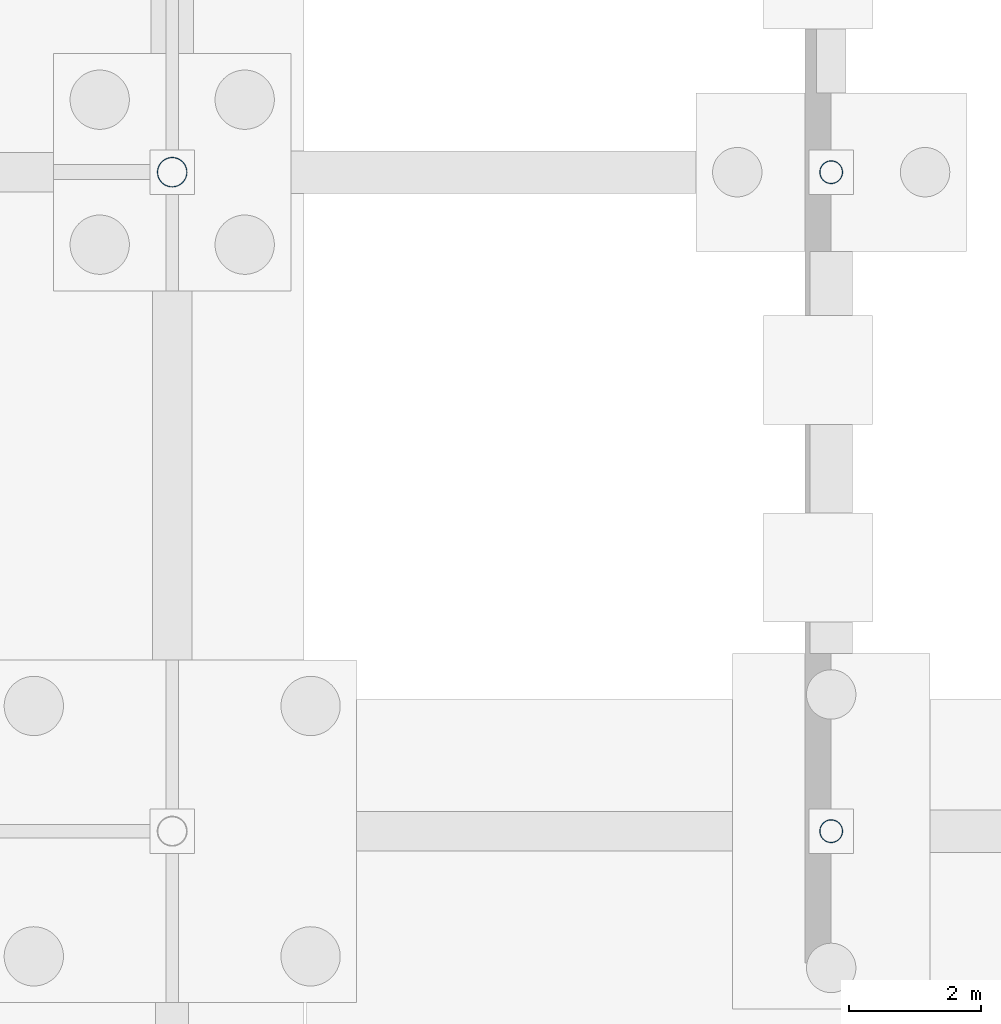
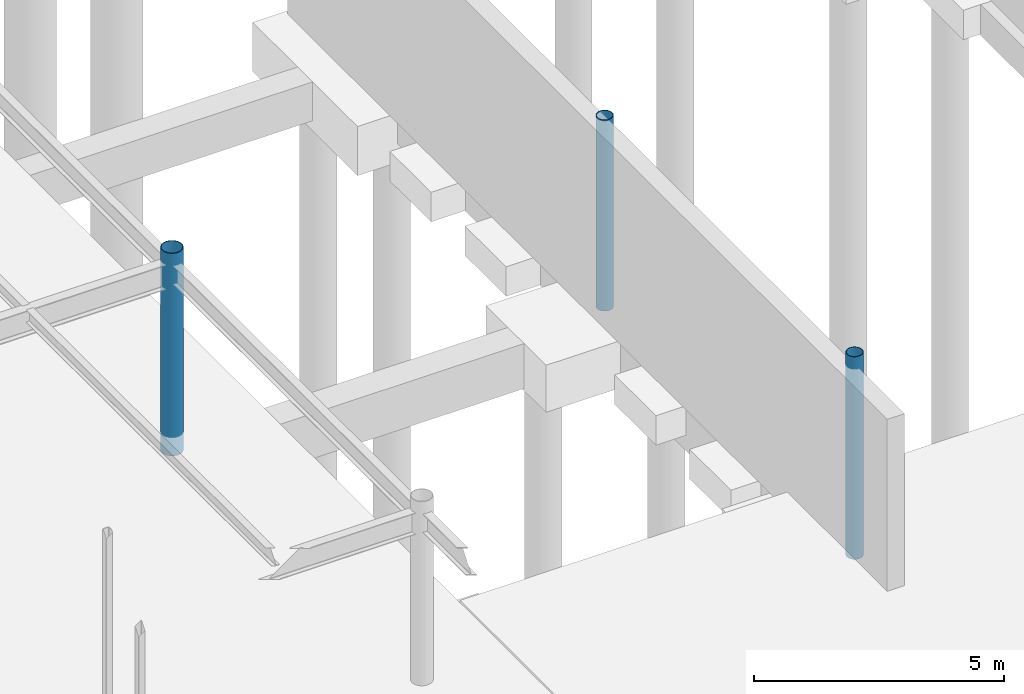
# One storey, part 43 of 75: 3 columns.
"""IFC4 building model written with IfcOpenShell, lengths in metres."""

from ifc_helpers import new_model, si_unit, derived_unit, direction, frame, origin, origin_2d_with_axis, place, context, subcontext, project, spatial, hollow_circle, extrude, material, material_profile, profile_set, type_object, element, save


model = new_model("IFC4")

# Units and contexts
model_context = context("Model", 3, precision=1e-05, world=origin(), true_north=direction((0.0, 1.0)))
body_context = subcontext(model_context, "Body", "Model", "MODEL_VIEW")
ifc_project = project(units=[si_unit("LENGTHUNIT", "METRE"), si_unit("AREAUNIT", "SQUARE_METRE"), si_unit("VOLUMEUNIT", "CUBIC_METRE"), si_unit("PLANEANGLEUNIT", "RADIAN"), si_unit("MASSUNIT", "GRAM", prefix="KILO"), derived_unit("THERMALTRANSMITTANCEUNIT", [(si_unit("POWERUNIT", "WATT"), 1), (si_unit("LENGTHUNIT", "METRE"), -2), (si_unit("THERMODYNAMICTEMPERATUREUNIT", "KELVIN"), -1)])], contexts=[model_context])

# Site, building, storey
site_placement = place(None, origin())
site = spatial("IfcSite", under=ifc_project, at=site_placement, CompositionType="ELEMENT")
building_placement = place(site_placement, origin())
building = spatial("IfcBuilding", under=site, at=building_placement, Name="Cinnabar Yard Market Hall", CompositionType="ELEMENT")
storey_placement = place(building_placement, frame((0.0, 0.0, -4.5)))
storey = spatial("IfcBuildingStorey", under=building, at=storey_placement, Name="B1", CompositionType="ELEMENT", Elevation=-4.5)

# Columns
ifc_material = material(Name="Spotted-gum glulam-clad steel Grade 350 (350 MPa)", Category="steel")
ifc_material_profile_1 = material_profile(ifc_material, hollow_circle(Radius=0.228515625, WallThickness=0.0126953125, at=origin_2d_with_axis()), Name="457.0x12.7CHS")
ifc_profile_set_1 = profile_set([ifc_material_profile_1], Name="Spotted-gum glulam-clad steel Grade 350 (350 MPa)")
column_type_1 = type_object("IfcColumnType", Name="COL-C01", PredefinedType="COLUMN", material=ifc_profile_set_1)
column_1_placement = place(storey_placement, frame((156.0, 44.0, -0.449951171875), z_axis=(0.0, 0.0, 1.0), x_axis=(1.0, 0.0, 0.0)))
element("IfcColumn", 1, at=column_1_placement, inside=storey, type_object=column_type_1, Name="Tree Column V1I-09-03 B1", PredefinedType="COLUMN", context=body_context, shape_type="SweptSolid", body=[
    extrude(hollow_circle(Radius=0.228515625, WallThickness=0.0126953125, at=origin_2d_with_axis()), origin(), (0.0, 0.0, 1.0), 4.949951171875),
])
ifc_material_profile_2 = material_profile(ifc_material, hollow_circle(Radius=0.177734375, WallThickness=0.0126953125, at=origin_2d_with_axis()), Name="355.6x12.7CHS")
ifc_profile_set_2 = profile_set([ifc_material_profile_2], Name="Spotted-gum glulam-clad steel Grade 350 (350 MPa)")
column_type_2 = type_object("IfcColumnType", Name="COL-C02", PredefinedType="COLUMN", material=ifc_profile_set_2)
column_2_placement = place(storey_placement, frame((166.0, 34.0, -0.449951171875), z_axis=(0.0, 0.0, 1.0), x_axis=(1.0, 0.0, 0.0)))
element("IfcColumn", 2, at=column_2_placement, inside=storey, type_object=column_type_2, Name="Tree Column V1E-01 B1", PredefinedType="COLUMN", context=body_context, shape_type="SweptSolid", body=[
    extrude(hollow_circle(Radius=0.177734375, WallThickness=0.0126953125, at=origin_2d_with_axis()), origin(), (0.0, 0.0, 1.0), 4.949951171875),
])
column_3_placement = place(storey_placement, frame((166.0, 44.0, -0.449951171875), z_axis=(0.0, 0.0, 1.0), x_axis=(1.0, 0.0, 0.0)))
element("IfcColumn", 3, at=column_3_placement, inside=storey, type_object=column_type_2, Name="Tree Column V1E-02 B1", PredefinedType="COLUMN", context=body_context, shape_type="SweptSolid", body=[
    extrude(hollow_circle(Radius=0.177734375, WallThickness=0.0126953125, at=origin_2d_with_axis()), origin(), (0.0, 0.0, 1.0), 4.669921875),
])

save(model, "model.ifc")
